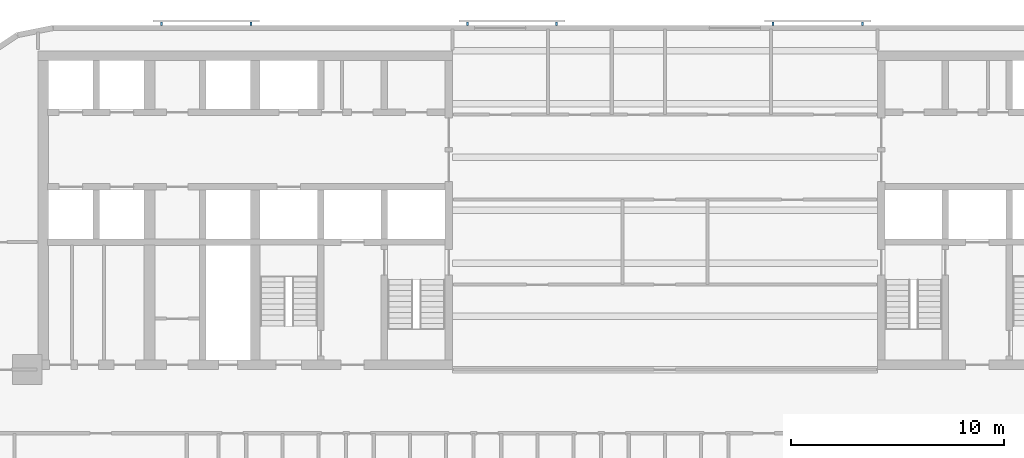
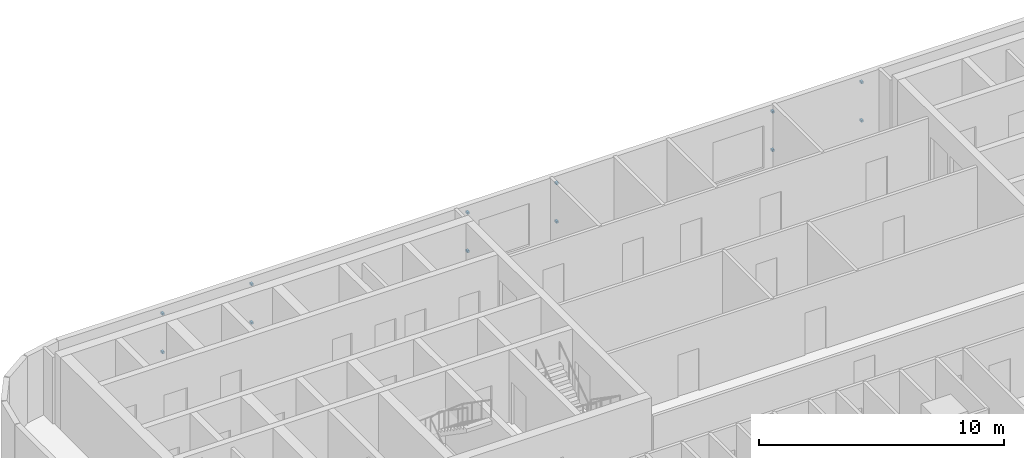
# One storey, part 11 of 15: 12 discrete accessories.
"""IFC4 building model written with IfcOpenShell, lengths in metres."""

import ifcopenshell
import ifcopenshell.guid

model = None  # the IFC model being written
_history = None  # IfcOwnerHistory: only IFC2X3 demands one
_inside = {}  # id of a spatial element -> (the spatial element, [elements in it])
_under = {}  # id of a project, library or spatial element -> (it, [spatial elements below it])
_declared = {}  # id of a project -> (the project, [libraries it declares])
_typed = {}  # id of a type object -> (the type object, [elements of that type])
_made_of = {}  # id of a material, layer set ... -> (it, [elements and type objects made of it])


def new_model(schema):
    """Start an empty IFC model of exactly this schema.

    Asked for "IFC4X3", IfcOpenShell would pick the latest addendum, in which some entities
    have other attributes; the version numbers below select the first issue.
    IFC2X3 requires an IfcOwnerHistory on every rooted entity: one is made here for all.
    """
    global model, _history
    if schema == "IFC4X3":
        model = ifcopenshell.file(schema_version=(4, 3, 0, 0))
    else:
        model = ifcopenshell.file(schema=schema)
    _inside.clear()
    _under.clear()
    _declared.clear()
    _typed.clear()
    _made_of.clear()
    _history = None
    if model.schema == "IFC2X3":
        org = make("IfcOrganization", Name="unknown")
        user = make(
            "IfcPersonAndOrganization",
            ThePerson=make("IfcPerson", FamilyName="unknown"),
            TheOrganization=org,
        )
        app = make(
            "IfcApplication",
            ApplicationDeveloper=org,
            Version="unknown",
            ApplicationFullName="unknown",
            ApplicationIdentifier="unknown",
        )
        _history = make(
            "IfcOwnerHistory",
            OwningUser=user,
            OwningApplication=app,
            ChangeAction="ADDED",
            CreationDate=0,
        )
    return model


def make(cls, **values):
    """One entity of the class cls with the attributes given. An attribute that is None is left unset."""
    return model.create_entity(
        cls, **{name: value for name, value in values.items() if value is not None}
    )


def rooted(cls, **values):
    """An entity with a GlobalId (a new one), such as an element, a storey or a relation."""
    return make(cls, GlobalId=ifcopenshell.guid.new(), OwnerHistory=_history, **values)


def si_unit(unit_type, name, prefix=None):
    """IfcSIUnit, for example si_unit("LENGTHUNIT", "METRE", prefix="MILLI")."""
    return make("IfcSIUnit", UnitType=unit_type, Prefix=prefix, Name=name)


def assignment(units):
    """IfcUnitAssignment: the units of a project."""
    return None if units is None else make("IfcUnitAssignment", Units=units)


def point(xyz):
    """IfcCartesianPoint."""
    return None if xyz is None else make("IfcCartesianPoint", Coordinates=xyz)


def direction(xyz):
    """IfcDirection."""
    return None if xyz is None else make("IfcDirection", DirectionRatios=xyz)


def frame(location, z_axis=None, x_axis=None):
    """IfcAxis2Placement3D, a coordinate frame: its origin and axes. An axis left out is left unset."""
    return make(
        "IfcAxis2Placement3D",
        Location=point(location),
        Axis=direction(z_axis),
        RefDirection=direction(x_axis),
    )


def frame_2d(location, x_axis=None):
    """IfcAxis2Placement2D, a coordinate frame in the plane: its origin and x axis."""
    return make(
        "IfcAxis2Placement2D", Location=point(location), RefDirection=direction(x_axis)
    )


def origin():
    """The frame at (0, 0, 0) with its axes left unset."""
    return frame((0.0, 0.0, 0.0))


def origin_2d():
    """The frame at (0, 0) in the plane with its x axis left unset."""
    return frame_2d((0.0, 0.0))


def place(relative_to, where):
    """IfcLocalPlacement: puts the frame where relative to a parent placement (None: the world)."""
    return make(
        "IfcLocalPlacement", PlacementRelTo=relative_to, RelativePlacement=where
    )


def context(
    kind, dimensions, precision=None, world=None, true_north=None, identifier=None
):
    """IfcGeometricRepresentationContext, for example the 3D "Model" context."""
    return make(
        "IfcGeometricRepresentationContext",
        ContextIdentifier=identifier,
        ContextType=kind,
        CoordinateSpaceDimension=dimensions,
        Precision=precision,
        WorldCoordinateSystem=world,
        TrueNorth=true_north,
    )


def subcontext(parent, identifier, kind, view, scale=None):
    """IfcGeometricRepresentationSubContext, for example "Body" below "Model"."""
    return make(
        "IfcGeometricRepresentationSubContext",
        ContextIdentifier=identifier,
        ContextType=kind,
        ParentContext=parent,
        TargetScale=scale,
        TargetView=view,
    )


def project(units=None, contexts=None):
    """IfcProject with its units and contexts."""
    return rooted(
        "IfcProject",
        Name="project",
        RepresentationContexts=contexts,
        UnitsInContext=assignment(units),
    )


def spatial(cls, under=None, at=None, **own):
    """A site, building, storey or space (cls), placed at a placement, below another one or the project."""
    s = rooted(cls, ObjectPlacement=at, **own)
    if under is not None:
        _under.setdefault(under.id(), (under, []))[1].append(s)
    return s


def profile(cls, at=None, kind="AREA", **sizes):
    """A parametric profile (cls). Its sizes go by their IFC names, for example OverallWidth=200.0."""
    return make(cls, ProfileType=kind, Position=at, **sizes)


def rectangle(**sizes):
    """IfcRectangleProfileDef."""
    return profile("IfcRectangleProfileDef", **sizes)


def extrude(swept, where, along, depth):
    """IfcExtrudedAreaSolid: the profile swept, set in the frame where, extruded along a direction by depth."""
    return make(
        "IfcExtrudedAreaSolid",
        SweptArea=swept,
        Position=where,
        ExtrudedDirection=direction(along),
        Depth=depth,
    )


def shape(context_of_items, identifier, shape_type, items):
    """IfcShapeRepresentation: the items that make up one representation, for example the "Body"."""
    return make(
        "IfcShapeRepresentation",
        ContextOfItems=context_of_items,
        RepresentationIdentifier=identifier,
        RepresentationType=shape_type,
        Items=items,
    )


def material(Name=None, Category=None):
    """IfcMaterial."""
    return make("IfcMaterial", Name=Name, Category=Category)


def made_of(thing, what):
    """Note that an element or type object is made of a material, layer set ...; save() writes the relation."""
    if what is not None:
        _made_of.setdefault(what.id(), (what, []))[1].append(thing)
    return thing


def type_object(cls, material=None, **own):
    """A type object (cls), such as IfcWallType, which elements share."""
    return made_of(rooted(cls, **own), material)


def element(
    cls,
    number,
    at=None,
    inside=None,
    cuts=None,
    type_object=None,
    material=None,
    context=None,
    identifier="Body",
    shape_type=None,
    held_by="IfcProductDefinitionShape",
    body=None,
    shapes=None,
    **own,
):
    """One element of the class cls, such as IfcWall. Its Tag is "e" and its number.

    at: its placement. inside: the storey or other place that contains it. cuts: it is an
    opening in that element (IfcRelVoidsElement). A single representation is given by context,
    identifier, shape_type and body (its items); several are given by shapes. held_by: the class
    of the entity that holds the representations. save() writes the other relations.
    """
    e = rooted(cls, Tag="e%d" % number, ObjectPlacement=at, **own)
    if body is not None:
        shapes = [shape(context, identifier, shape_type, body)]
    if shapes is not None:
        e.Representation = make(held_by, Representations=shapes)
    if inside is not None:
        _inside.setdefault(inside.id(), (inside, []))[1].append(e)
    if cuts is not None:
        rooted(
            "IfcRelVoidsElement", RelatingBuildingElement=cuts, RelatedOpeningElement=e
        )
    if type_object is not None:
        _typed.setdefault(type_object.id(), (type_object, []))[1].append(e)
    return made_of(e, material)


def aggregate(whole, parts):
    """IfcRelAggregates: a whole, such as a stair, and the parts it consists of."""
    return rooted("IfcRelAggregates", RelatingObject=whole, RelatedObjects=parts)


def save(model, path):
    """Write the relations noted so far, then the file.

    IfcRelAggregates (storeys below a building ...), IfcRelContainedInSpatialStructure (elements
    in a storey), IfcRelDefinesByType, IfcRelAssociatesMaterial and IfcRelDeclares: one each for
    every whole, place, type object, material and project.
    """
    for whole, parts in _under.values():
        aggregate(whole, parts)
    for where, things in _inside.values():
        rooted(
            "IfcRelContainedInSpatialStructure",
            RelatedElements=things,
            RelatingStructure=where,
        )
    for kind, things in _typed.values():
        rooted("IfcRelDefinesByType", RelatedObjects=things, RelatingType=kind)
    for what, things in _made_of.values():
        rooted("IfcRelAssociatesMaterial", RelatedObjects=things, RelatingMaterial=what)
    for by, libraries in _declared.values():
        rooted("IfcRelDeclares", RelatingContext=by, RelatedDefinitions=libraries)
    model.write(path)


model = new_model("IFC4")

# Units and contexts
model_context = context("Model", 3, precision=1e-05, world=origin(), true_north=direction((0.0, 1.0)))
body_context = subcontext(model_context, "Body", "Model", "MODEL_VIEW")
ifc_project = project(units=[si_unit("LENGTHUNIT", "METRE"), si_unit("AREAUNIT", "SQUARE_METRE"), si_unit("VOLUMEUNIT", "CUBIC_METRE"), si_unit("PLANEANGLEUNIT", "RADIAN"), si_unit("MASSUNIT", "GRAM", prefix="KILO")], contexts=[model_context])

# Site, building, storey
site_placement = place(None, origin())
site = spatial("IfcSite", under=ifc_project, at=site_placement, CompositionType="ELEMENT")
building_placement = place(site_placement, origin())
building = spatial("IfcBuilding", under=site, at=building_placement, Name="Torana Hotel and Residences", CompositionType="ELEMENT")
storey_placement = place(building_placement, frame((0.0, 0.0, 42.0)))
storey = spatial("IfcBuildingStorey", under=building, at=storey_placement, Name="L09", CompositionType="ELEMENT", Elevation=42.0)

# Discrete accessories
ifc_material = material(Name="Steel S355", Category="steel")
discrete_accessory_type = type_object("IfcDiscreteAccessoryType", Name="SCREEN BRACKET 100", PredefinedType="BRACKET", material=ifc_material)
for number, where, z_axis, x_axis, name in (
    (1, (9.293701171875, 1.27490234375, 0.75), (0.0, 0.0, 1.0), (-1.0, 0.0, 0.0), "Screen bracket L09"),
    (2, (9.293701171875, 1.27490234375, 2.669921875), (0.0, 0.0, 1.0), (-1.0, 0.0, 0.0), "Screen bracket L09"),
    (3, (5.09375, 1.27490234375, 0.75), (0.0, 0.0, 1.0), (-1.0, 0.0, 0.0), "Screen bracket L09"),
    (4, (5.09375, 1.27490234375, 2.669921875), (0.0, 0.0, 1.0), (-1.0, 0.0, 0.0), "Screen bracket L09"),
    (5, (-5.09375, 1.27490234375, 0.75), (0.0, 0.0, 1.0), (-1.0, 0.0, 0.0), "Screen bracket L09"),
    (6, (-5.09375, 1.27490234375, 2.669921875), (0.0, 0.0, 1.0), (-1.0, 0.0, 0.0), "Screen bracket L09"),
    (7, (-9.293701171875, 1.27490234375, 0.75), (0.0, 0.0, 1.0), (-1.0, 0.0, 0.0), "Screen bracket L09"),
    (8, (-9.293701171875, 1.27490234375, 2.669921875), (0.0, 0.0, 1.0), (-1.0, 0.0, 0.0), "Screen bracket L09"),
    (9, (-19.4814453125, 1.27490234375, 0.75), (0.0, 0.0, 1.0), (-1.0, 0.0, 0.0), "Screen bracket L09"),
    (10, (-19.4814453125, 1.27490234375, 2.669921875), (0.0, 0.0, 1.0), (-1.0, 0.0, 0.0), "Screen bracket L09"),
    (11, (-23.681396484375, 1.27490234375, 0.75), (0.0, 0.0, 1.0), (-1.0, 0.0, 0.0), "Screen bracket L09"),
    (12, (-23.681396484375, 1.27490234375, 2.669921875), (0.0, 0.0, 1.0), (-1.0, 0.0, 0.0), "Screen bracket L09"),
):
    element("IfcDiscreteAccessory", number, at=place(storey_placement, frame(where, z_axis=z_axis, x_axis=x_axis)), inside=storey, type_object=discrete_accessory_type, Name=name, PredefinedType="BRACKET", context=body_context, shape_type="SweptSolid", body=[
        extrude(rectangle(XDim=0.10009765625, YDim=0.14990234375, at=origin_2d()), origin(), (0.0, 0.0, 1.0), 0.10009765625),
    ])

save(model, "model.ifc")
